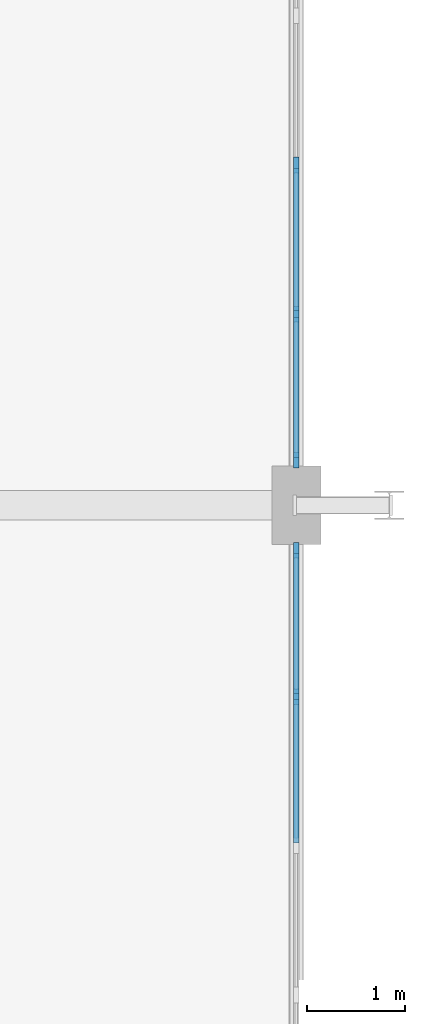
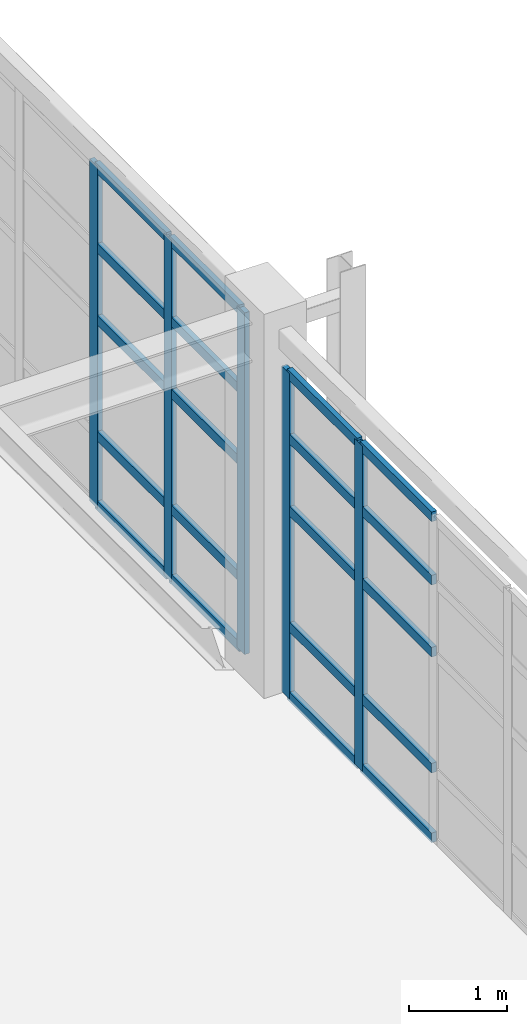
# One storey, part 71 of 139: 25 members, 2 elements without a shape of their own.
"""IFC4 building model written with IfcOpenShell, lengths in metres."""

from ifc_helpers import new_model, si_unit, direction, frame, origin, origin_2d, place, context, subcontext, project, spatial, rectangle, extrude, material, layer, layer_set, material_profile, profile_set, type_object, element, aggregate, save


model = new_model("IFC4")

# Units and contexts
model_context = context("Model", 3, precision=1e-05, world=origin(), true_north=direction((0.0, 1.0)))
body_context = subcontext(model_context, "Body", "Model", "MODEL_VIEW")
ifc_project = project(units=[si_unit("LENGTHUNIT", "METRE"), si_unit("AREAUNIT", "SQUARE_METRE"), si_unit("VOLUMEUNIT", "CUBIC_METRE"), si_unit("PLANEANGLEUNIT", "RADIAN"), si_unit("MASSUNIT", "GRAM", prefix="KILO"), si_unit("THERMODYNAMICTEMPERATUREUNIT", "KELVIN"), si_unit("POWERUNIT", "WATT")], contexts=[model_context])

# Site, building, storey
site_placement = place(None, origin())
site = spatial("IfcSite", under=ifc_project, at=site_placement, CompositionType="ELEMENT")
building_placement = place(site_placement, origin())
building = spatial("IfcBuilding", under=site, at=building_placement, Name="Korenveer Ferry Terminal", CompositionType="ELEMENT")
storey_placement = place(building_placement, frame((0.0, 0.0, 5.39990234375)))
storey = spatial("IfcBuildingStorey", under=building, at=storey_placement, Name="L01", CompositionType="ELEMENT", Elevation=5.39990234375)

# Curtain wall, members
ifc_material_1 = material(Name="Unitised bronze-and-glass curtain wall", Category="glass")
ifc_layer_1 = layer(ifc_material_1, 0.159912109375)
ifc_layer_set_1 = layer_set([ifc_layer_1], Name="Unitised bronze-and-glass curtain wall")
curtain_wall_type_1 = type_object("IfcCurtainWallType", Name="ENV-CW-80", PredefinedType="USERDEFINED", material=ifc_layer_set_1)
curtain_wall_1_placement = place(storey_placement, frame((176.0, 59.570068359375, 0.0)))
curtain_wall_1 = element("IfcCurtainWall", 1, at=curtain_wall_1_placement, inside=storey, type_object=curtain_wall_type_1, Name="Lancet curtain wall CWX-L01-X176-176-Y50-60", ObjectType="UNITISED CURTAIN WALL", PredefinedType="USERDEFINED")
ifc_material_2 = material(Name="Anodised bronze aluminium", Category="aluminium")
ifc_material_profile_1 = material_profile(ifc_material_2, rectangle(XDim=0.06005859375, YDim=0.159912109375, at=origin_2d()), Name="ALU 60x160")
ifc_profile_set_1 = profile_set([ifc_material_profile_1], Name="Anodised bronze aluminium")
member_type_1 = type_object("IfcMemberType", Name="ENV-CWM-60X160", PredefinedType="MULLION", material=ifc_profile_set_1)
member_1_placement = place(storey_placement, frame((176.0, 59.5400390625, 0.0), z_axis=(0.0, 0.0, 1.0), x_axis=(1.0, 0.0, 0.0)))
member_1 = element("IfcMember", 2, at=member_1_placement, type_object=member_type_1, Name="CW-80 mullion 1", PredefinedType="MULLION", context=body_context, shape_type="SweptSolid", body=[
    extrude(rectangle(XDim=0.06005859375, YDim=0.159912109375, at=origin_2d()), origin(), (0.0, 0.0, 1.0), 4.070068359375),
])
member_2_placement = place(storey_placement, frame((176.0, 58.046630859375, 0.0), z_axis=(0.0, 0.0, 1.0), x_axis=(1.0, 0.0, 0.0)))
member_2 = element("IfcMember", 3, at=member_2_placement, type_object=member_type_1, Name="CW-80 mullion 2", PredefinedType="MULLION", context=body_context, shape_type="SweptSolid", body=[
    extrude(rectangle(XDim=0.06005859375, YDim=0.159912109375, at=origin_2d()), origin(), (0.0, 0.0, 1.0), 4.070068359375),
])

ifc_layer_2 = layer(ifc_material_1, 0.159912109375)
ifc_layer_set_2 = layer_set([ifc_layer_2], Name="Unitised bronze-and-glass curtain wall")
curtain_wall_type_2 = type_object("IfcCurtainWallType", Name="ENV-CW-81", PredefinedType="USERDEFINED", material=ifc_layer_set_2)
curtain_wall_2_placement = place(storey_placement, frame((176.0, 69.570068359375, 0.0)))
curtain_wall_2 = element("IfcCurtainWall", 4, at=curtain_wall_2_placement, inside=storey, type_object=curtain_wall_type_2, Name="Lancet curtain wall CWX-L01-X176-176-Y60-70", ObjectType="UNITISED CURTAIN WALL", PredefinedType="USERDEFINED")
member_3_placement = place(storey_placement, frame((176.0, 63.4765625, 0.0), z_axis=(0.0, 0.0, 1.0), x_axis=(1.0, 0.0, 0.0)))
member_3 = element("IfcMember", 5, at=member_3_placement, type_object=member_type_1, Name="CW-81 mullion 5", PredefinedType="MULLION", context=body_context, shape_type="SweptSolid", body=[
    extrude(rectangle(XDim=0.06005859375, YDim=0.159912109375, at=origin_2d()), origin(), (0.0, 0.0, 1.0), 4.27001953125),
])
member_4_placement = place(storey_placement, frame((176.0, 61.953369140625, 0.0), z_axis=(0.0, 0.0, 1.0), x_axis=(1.0, 0.0, 0.0)))
member_4 = element("IfcMember", 6, at=member_4_placement, type_object=member_type_1, Name="CW-81 mullion 6", PredefinedType="MULLION", context=body_context, shape_type="SweptSolid", body=[
    extrude(rectangle(XDim=0.06005859375, YDim=0.159912109375, at=origin_2d()), origin(), (0.0, 0.0, 1.0), 4.27001953125),
])
member_5_placement = place(storey_placement, frame((176.0, 60.4599609375, 0.0), z_axis=(0.0, 0.0, 1.0), x_axis=(1.0, 0.0, 0.0)))
member_5 = element("IfcMember", 7, at=member_5_placement, type_object=member_type_1, Name="CW-81 mullion 7", PredefinedType="MULLION", context=body_context, shape_type="SweptSolid", body=[
    extrude(rectangle(XDim=0.06005859375, YDim=0.159912109375, at=origin_2d()), origin(), (0.0, 0.0, 1.0), 4.27001953125),
])

# Member
ifc_material_profile_2 = material_profile(ifc_material_2, rectangle(XDim=0.06005859375, YDim=0.1201171875, at=origin_2d()), Name="ALU 60x120")
ifc_profile_set_2 = profile_set([ifc_material_profile_2], Name="Anodised bronze aluminium")
member_type_2 = type_object("IfcMemberType", Name="ENV-CWT-60X120", PredefinedType="USERDEFINED", material=ifc_profile_set_2)
member_6_placement = place(storey_placement, frame((176.0, 59.510009765625, 0.030029296875), z_axis=(0.0, -1.0, 0.0), x_axis=(1.0, 0.0, 0.0)))
member_6 = element("IfcMember", 8, at=member_6_placement, type_object=member_type_2, Name="CW-80 transom 1.1", ObjectType="TRANSOM", PredefinedType="USERDEFINED", context=body_context, shape_type="SweptSolid", body=[
    extrude(rectangle(XDim=0.06005859375, YDim=0.1201171875, at=origin_2d()), origin(), (0.0, 0.0, 1.0), 1.433349609375),
])

member_7_placement = place(storey_placement, frame((176.0, 59.510009765625, 0.900146484375), z_axis=(0.0, -1.0, 0.0), x_axis=(1.0, 0.0, 0.0)))
member_7 = element("IfcMember", 9, at=member_7_placement, type_object=member_type_2, Name="CW-80 transom 1.2", ObjectType="TRANSOM", PredefinedType="USERDEFINED", context=body_context, shape_type="SweptSolid", body=[
    extrude(rectangle(XDim=0.06005859375, YDim=0.1201171875, at=origin_2d()), origin(), (0.0, 0.0, 1.0), 1.433349609375),
])

member_8_placement = place(storey_placement, frame((176.0, 59.510009765625, 2.35009765625), z_axis=(0.0, -1.0, 0.0), x_axis=(1.0, 0.0, 0.0)))
member_8 = element("IfcMember", 10, at=member_8_placement, type_object=member_type_2, Name="CW-80 transom 1.3", ObjectType="TRANSOM", PredefinedType="USERDEFINED", context=body_context, shape_type="SweptSolid", body=[
    extrude(rectangle(XDim=0.06005859375, YDim=0.1201171875, at=origin_2d()), origin(), (0.0, 0.0, 1.0), 1.433349609375),
])

member_9_placement = place(storey_placement, frame((176.0, 59.510009765625, 3.25), z_axis=(0.0, -1.0, 0.0), x_axis=(1.0, 0.0, 0.0)))
member_9 = element("IfcMember", 11, at=member_9_placement, type_object=member_type_2, Name="CW-80 transom 1.4", ObjectType="TRANSOM", PredefinedType="USERDEFINED", context=body_context, shape_type="SweptSolid", body=[
    extrude(rectangle(XDim=0.06005859375, YDim=0.1201171875, at=origin_2d()), origin(), (0.0, 0.0, 1.0), 1.433349609375),
])

member_10_placement = place(storey_placement, frame((176.0, 59.510009765625, 4.0400390625), z_axis=(0.0, -1.0, 0.0), x_axis=(1.0, 0.0, 0.0)))
member_10 = element("IfcMember", 12, at=member_10_placement, type_object=member_type_2, Name="CW-80 transom 1.5", ObjectType="TRANSOM", PredefinedType="USERDEFINED", context=body_context, shape_type="SweptSolid", body=[
    extrude(rectangle(XDim=0.06005859375, YDim=0.1201171875, at=origin_2d()), origin(), (0.0, 0.0, 1.0), 1.433349609375),
])

member_11_placement = place(storey_placement, frame((176.0, 58.0166015625, 0.030029296875), z_axis=(0.0, -1.0, 0.0), x_axis=(1.0, 0.0, 0.0)))
member_11 = element("IfcMember", 13, at=member_11_placement, type_object=member_type_2, Name="CW-80 transom 2.1", ObjectType="TRANSOM", PredefinedType="USERDEFINED", context=body_context, shape_type="SweptSolid", body=[
    extrude(rectangle(XDim=0.06005859375, YDim=0.1201171875, at=origin_2d()), origin(), (0.0, 0.0, 1.0), 1.46337890625),
])

member_12_placement = place(storey_placement, frame((176.0, 58.0166015625, 0.900146484375), z_axis=(0.0, -1.0, 0.0), x_axis=(1.0, 0.0, 0.0)))
member_12 = element("IfcMember", 14, at=member_12_placement, type_object=member_type_2, Name="CW-80 transom 2.2", ObjectType="TRANSOM", PredefinedType="USERDEFINED", context=body_context, shape_type="SweptSolid", body=[
    extrude(rectangle(XDim=0.06005859375, YDim=0.1201171875, at=origin_2d()), origin(), (0.0, 0.0, 1.0), 1.46337890625),
])

member_13_placement = place(storey_placement, frame((176.0, 58.0166015625, 2.35009765625), z_axis=(0.0, -1.0, 0.0), x_axis=(1.0, 0.0, 0.0)))
member_13 = element("IfcMember", 15, at=member_13_placement, type_object=member_type_2, Name="CW-80 transom 2.3", ObjectType="TRANSOM", PredefinedType="USERDEFINED", context=body_context, shape_type="SweptSolid", body=[
    extrude(rectangle(XDim=0.06005859375, YDim=0.1201171875, at=origin_2d()), origin(), (0.0, 0.0, 1.0), 1.46337890625),
])

member_14_placement = place(storey_placement, frame((176.0, 58.0166015625, 3.25), z_axis=(0.0, -1.0, 0.0), x_axis=(1.0, 0.0, 0.0)))
member_14 = element("IfcMember", 16, at=member_14_placement, type_object=member_type_2, Name="CW-80 transom 2.4", ObjectType="TRANSOM", PredefinedType="USERDEFINED", context=body_context, shape_type="SweptSolid", body=[
    extrude(rectangle(XDim=0.06005859375, YDim=0.1201171875, at=origin_2d()), origin(), (0.0, 0.0, 1.0), 1.46337890625),
])

member_15_placement = place(storey_placement, frame((176.0, 58.0166015625, 4.0400390625), z_axis=(0.0, -1.0, 0.0), x_axis=(1.0, 0.0, 0.0)))
member_15 = element("IfcMember", 17, at=member_15_placement, type_object=member_type_2, Name="CW-80 transom 2.5", ObjectType="TRANSOM", PredefinedType="USERDEFINED", context=body_context, shape_type="SweptSolid", body=[
    extrude(rectangle(XDim=0.06005859375, YDim=0.1201171875, at=origin_2d()), origin(), (0.0, 0.0, 1.0), 1.46337890625),
])

aggregate(curtain_wall_1, [member_1, member_2, member_6, member_7, member_8, member_9, member_10, member_11, member_12, member_13, member_14, member_15])

member_16_placement = place(storey_placement, frame((176.0, 63.44677734375, 0.030029296875), z_axis=(0.0, -1.0, 0.0), x_axis=(1.0, 0.0, 0.0)))
member_16 = element("IfcMember", 18, at=member_16_placement, type_object=member_type_2, Name="CW-81 transom 5.1", ObjectType="TRANSOM", PredefinedType="USERDEFINED", context=body_context, shape_type="SweptSolid", body=[
    extrude(rectangle(XDim=0.06005859375, YDim=0.1201171875, at=origin_2d()), origin(), (0.0, 0.0, 1.0), 1.46337890625),
])

member_17_placement = place(storey_placement, frame((176.0, 63.44677734375, 0.900146484375), z_axis=(0.0, -1.0, 0.0), x_axis=(1.0, 0.0, 0.0)))
member_17 = element("IfcMember", 19, at=member_17_placement, type_object=member_type_2, Name="CW-81 transom 5.2", ObjectType="TRANSOM", PredefinedType="USERDEFINED", context=body_context, shape_type="SweptSolid", body=[
    extrude(rectangle(XDim=0.06005859375, YDim=0.1201171875, at=origin_2d()), origin(), (0.0, 0.0, 1.0), 1.46337890625),
])

member_18_placement = place(storey_placement, frame((176.0, 63.44677734375, 2.35009765625), z_axis=(0.0, -1.0, 0.0), x_axis=(1.0, 0.0, 0.0)))
member_18 = element("IfcMember", 20, at=member_18_placement, type_object=member_type_2, Name="CW-81 transom 5.3", ObjectType="TRANSOM", PredefinedType="USERDEFINED", context=body_context, shape_type="SweptSolid", body=[
    extrude(rectangle(XDim=0.06005859375, YDim=0.1201171875, at=origin_2d()), origin(), (0.0, 0.0, 1.0), 1.46337890625),
])

member_19_placement = place(storey_placement, frame((176.0, 63.44677734375, 3.25), z_axis=(0.0, -1.0, 0.0), x_axis=(1.0, 0.0, 0.0)))
member_19 = element("IfcMember", 21, at=member_19_placement, type_object=member_type_2, Name="CW-81 transom 5.4", ObjectType="TRANSOM", PredefinedType="USERDEFINED", context=body_context, shape_type="SweptSolid", body=[
    extrude(rectangle(XDim=0.06005859375, YDim=0.1201171875, at=origin_2d()), origin(), (0.0, 0.0, 1.0), 1.46337890625),
])

member_20_placement = place(storey_placement, frame((176.0, 63.44677734375, 4.239990234375), z_axis=(0.0, -1.0, 0.0), x_axis=(1.0, 0.0, 0.0)))
member_20 = element("IfcMember", 22, at=member_20_placement, type_object=member_type_2, Name="CW-81 transom 5.5", ObjectType="TRANSOM", PredefinedType="USERDEFINED", context=body_context, shape_type="SweptSolid", body=[
    extrude(rectangle(XDim=0.06005859375, YDim=0.1201171875, at=origin_2d()), origin(), (0.0, 0.0, 1.0), 1.46337890625),
])

member_21_placement = place(storey_placement, frame((176.0, 61.92333984375, 0.030029296875), z_axis=(0.0, -1.0, 0.0), x_axis=(1.0, 0.0, 0.0)))
member_21 = element("IfcMember", 23, at=member_21_placement, type_object=member_type_2, Name="CW-81 transom 6.1", ObjectType="TRANSOM", PredefinedType="USERDEFINED", context=body_context, shape_type="SweptSolid", body=[
    extrude(rectangle(XDim=0.06005859375, YDim=0.1201171875, at=origin_2d()), origin(), (0.0, 0.0, 1.0), 1.433349609375),
])

member_22_placement = place(storey_placement, frame((176.0, 61.92333984375, 0.900146484375), z_axis=(0.0, -1.0, 0.0), x_axis=(1.0, 0.0, 0.0)))
member_22 = element("IfcMember", 24, at=member_22_placement, type_object=member_type_2, Name="CW-81 transom 6.2", ObjectType="TRANSOM", PredefinedType="USERDEFINED", context=body_context, shape_type="SweptSolid", body=[
    extrude(rectangle(XDim=0.06005859375, YDim=0.1201171875, at=origin_2d()), origin(), (0.0, 0.0, 1.0), 1.433349609375),
])

member_23_placement = place(storey_placement, frame((176.0, 61.92333984375, 2.35009765625), z_axis=(0.0, -1.0, 0.0), x_axis=(1.0, 0.0, 0.0)))
member_23 = element("IfcMember", 25, at=member_23_placement, type_object=member_type_2, Name="CW-81 transom 6.3", ObjectType="TRANSOM", PredefinedType="USERDEFINED", context=body_context, shape_type="SweptSolid", body=[
    extrude(rectangle(XDim=0.06005859375, YDim=0.1201171875, at=origin_2d()), origin(), (0.0, 0.0, 1.0), 1.433349609375),
])

member_24_placement = place(storey_placement, frame((176.0, 61.92333984375, 3.25), z_axis=(0.0, -1.0, 0.0), x_axis=(1.0, 0.0, 0.0)))
member_24 = element("IfcMember", 26, at=member_24_placement, type_object=member_type_2, Name="CW-81 transom 6.4", ObjectType="TRANSOM", PredefinedType="USERDEFINED", context=body_context, shape_type="SweptSolid", body=[
    extrude(rectangle(XDim=0.06005859375, YDim=0.1201171875, at=origin_2d()), origin(), (0.0, 0.0, 1.0), 1.433349609375),
])

member_25_placement = place(storey_placement, frame((176.0, 61.92333984375, 4.239990234375), z_axis=(0.0, -1.0, 0.0), x_axis=(1.0, 0.0, 0.0)))
member_25 = element("IfcMember", 27, at=member_25_placement, type_object=member_type_2, Name="CW-81 transom 6.5", ObjectType="TRANSOM", PredefinedType="USERDEFINED", context=body_context, shape_type="SweptSolid", body=[
    extrude(rectangle(XDim=0.06005859375, YDim=0.1201171875, at=origin_2d()), origin(), (0.0, 0.0, 1.0), 1.433349609375),
])

aggregate(curtain_wall_2, [member_3, member_4, member_5, member_16, member_17, member_18, member_19, member_20, member_21, member_22, member_23, member_24, member_25])

save(model, "model.ifc")
